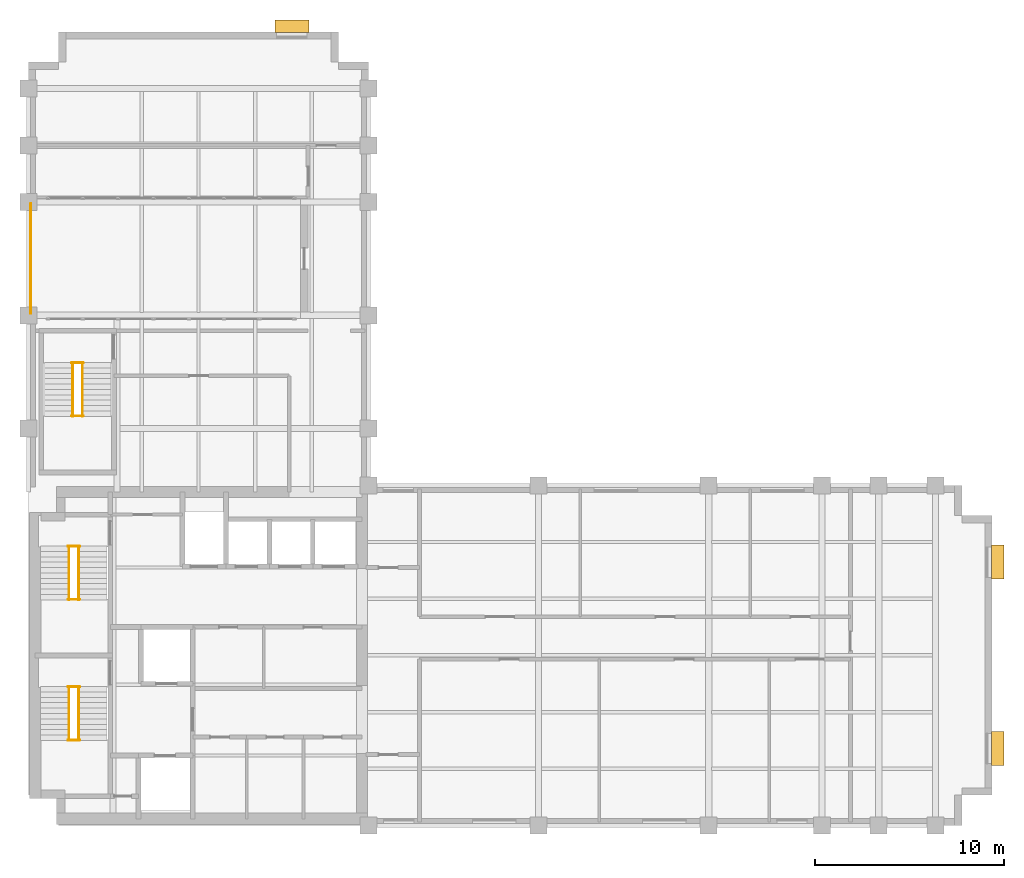
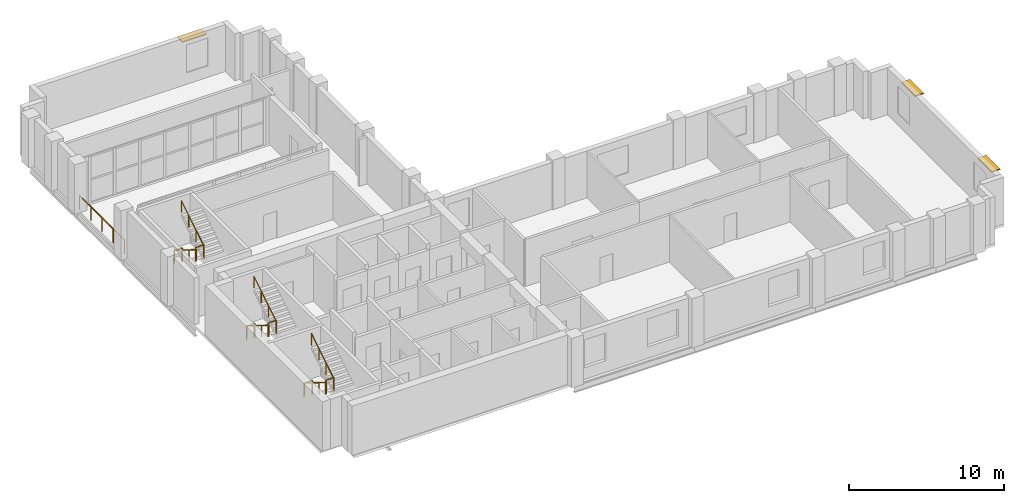
# One storey, part 11 of 11: 13 railings, 3 shading devices.
"""IFC4 building model written with IfcOpenShell, lengths in metres."""

from ifc_helpers import new_model, si_unit, direction, frame, origin, origin_2d, place, context, subcontext, project, spatial, rectangle, circle, extrude, material, layer, layer_set, type_object, element, save


model = new_model("IFC4")

# Units and contexts
model_context = context("Model", 3, precision=1e-05, world=origin(), true_north=direction((0.0, 1.0)))
body_context = subcontext(model_context, "Body", "Model", "MODEL_VIEW")
ifc_project = project(units=[si_unit("LENGTHUNIT", "METRE"), si_unit("AREAUNIT", "SQUARE_METRE"), si_unit("VOLUMEUNIT", "CUBIC_METRE"), si_unit("PLANEANGLEUNIT", "RADIAN"), si_unit("MASSUNIT", "GRAM", prefix="KILO")], contexts=[model_context])

# Site, building, storey
site_placement = place(None, origin())
site = spatial("IfcSite", under=ifc_project, at=site_placement, CompositionType="ELEMENT")
building_placement = place(site_placement, origin())
building = spatial("IfcBuilding", under=site, at=building_placement, Name="Mawjdan Bourse Tower", CompositionType="ELEMENT")
storey_placement = place(building_placement, frame((0.0, 0.0, 191.699951171875)))
storey = spatial("IfcBuildingStorey", under=building, at=storey_placement, Name="L46", CompositionType="ELEMENT", Elevation=191.699951171875)

# Railings
ifc_material_1 = material(Name="Structural Steel S355", Category="steel")
railing_type_1 = type_object("IfcRailingType", Name="RLG-GRD-1100", PredefinedType="GUARDRAIL", material=ifc_material_1)
railing_1_placement = place(storey_placement, frame((6.1201171875, 30.10009765625, 0.0)))
element("IfcRailing", 1, at=railing_1_placement, inside=storey, type_object=railing_type_1, Name="L46 Sky Terrace Perimeter Guardrail", PredefinedType="GUARDRAIL", context=body_context, shape_type="SweptSolid", body=[
    extrude(circle(Radius=0.02490234375, at=origin_2d()), frame((0.0, 0.0, 1.0751953125), z_axis=(0.0, 1.0, 0.0), x_axis=(-1.0, 0.0, 0.0)), (0.0, 0.0, 1.0), 5.7998046875),
    extrude(circle(Radius=0.02197265625, at=origin_2d()), origin(), (0.0, 0.0, 1.0), 1.050048828125),
    extrude(circle(Radius=0.02197265625, at=origin_2d()), frame((0.0, 1.449951171875, 0.0)), (0.0, 0.0, 1.0), 1.050048828125),
    extrude(circle(Radius=0.02197265625, at=origin_2d()), frame((0.0, 2.89990234375, 0.0)), (0.0, 0.0, 1.0), 1.050048828125),
    extrude(circle(Radius=0.02197265625, at=origin_2d()), frame((0.0, 4.349853515625, 0.0)), (0.0, 0.0, 1.0), 1.050048828125),
    extrude(circle(Radius=0.02197265625, at=origin_2d()), frame((0.0, 5.7998046875, 0.0)), (0.0, 0.0, 1.0), 1.050048828125),
])
for number, where, name in (
    (2, (8.090087890625, 7.52001953125, 1.949951171875), "L46 ST1 Landing Guardrail GL-MID"),
    (3, (8.090087890625, 10.330078125, 0.0), "L46 ST1 Landing Guardrail GL-BOT"),
    (4, (8.090087890625, 14.9599609375, 1.949951171875), "L46 ST2 Landing Guardrail GL-MID"),
    (5, (8.090087890625, 17.77001953125, 0.0), "L46 ST2 Landing Guardrail GL-BOT"),
    (6, (8.2900390625, 24.669921875, 1.949951171875), "L46 ST3 Landing Guardrail GL-MID"),
    (7, (8.2900390625, 27.47998046875, 0.0), "L46 ST3 Landing Guardrail GL-BOT"),
):
    element("IfcRailing", number, at=place(storey_placement, frame(where)), inside=storey, type_object=railing_type_1, Name=name, PredefinedType="GUARDRAIL", context=body_context, shape_type="SweptSolid", body=[
        extrude(circle(Radius=0.02490234375, at=origin_2d()), frame((0.0, 0.0, 1.0751953125), z_axis=(1.0, 0.0, 0.0), x_axis=(0.0, 1.0, 0.0)), (0.0, 0.0, 1.0), 0.619873046875),
        extrude(circle(Radius=0.02099609375, at=origin_2d()), origin(), (0.0, 0.0, 1.0), 1.050048828125),
        extrude(circle(Radius=0.02099609375, at=origin_2d()), frame((0.619873046875, 0.0, 0.0)), (0.0, 0.0, 1.0), 1.050048828125),
    ])
ifc_material_2 = material(Name="Brushed Stainless Steel", Category="steel")
railing_type_2 = type_object("IfcRailingType", Name="RLG-HND-920", PredefinedType="HANDRAIL", material=ifc_material_2)
railing_2_placement = place(storey_placement, frame((8.139892578125, 10.35009765625, 0.17724609375)))
element("IfcRailing", 8, at=railing_2_placement, inside=storey, type_object=railing_type_2, Name="L46 ST1 Flight Handrail HR1", PredefinedType="HANDRAIL", context=body_context, shape_type="SweptSolid", body=[
    extrude(circle(Radius=0.0224609375, at=origin_2d()), frame((0.0, 0.0, 0.8974609375), z_axis=(0.0, -0.849148672731, 0.528153890072), x_axis=(1.0, 0.0, 0.0)), (0.0, 0.0, 1.0), 3.3564453125),
    extrude(circle(Radius=0.01904296875, at=origin_2d()), origin(), (0.0, 0.0, 1.0), 0.875),
    extrude(circle(Radius=0.01904296875, at=origin_2d()), frame((0.0, -0.949951171875, 0.5908203125)), (0.0, 0.0, 1.0), 0.875),
    extrude(circle(Radius=0.01904296875, at=origin_2d()), frame((0.0, -1.900146484375, 1.181884765625)), (0.0, 0.0, 1.0), 0.875),
    extrude(circle(Radius=0.01904296875, at=origin_2d()), frame((0.0, -2.85009765625, 1.772705078125)), (0.0, 0.0, 1.0), 0.875),
])
railing_3_placement = place(storey_placement, frame((8.659912109375, 7.5, 2.12744140625)))
element("IfcRailing", 9, at=railing_3_placement, inside=storey, type_object=railing_type_2, Name="L46 ST1 Flight Handrail HR2", PredefinedType="HANDRAIL", context=body_context, shape_type="SweptSolid", body=[
    extrude(circle(Radius=0.0224609375, at=origin_2d()), frame((0.0, 0.0, 0.8974609375), z_axis=(0.0, 0.849148672731, 0.528153890072), x_axis=(-1.0, 0.0, 0.0)), (0.0, 0.0, 1.0), 3.3564453125),
    extrude(circle(Radius=0.01904296875, at=origin_2d()), origin(), (0.0, 0.0, 1.0), 0.875),
    extrude(circle(Radius=0.01904296875, at=origin_2d()), frame((0.0, 0.949951171875, 0.5908203125)), (0.0, 0.0, 1.0), 0.875),
    extrude(circle(Radius=0.01904296875, at=origin_2d()), frame((0.0, 1.900146484375, 1.181884765625)), (0.0, 0.0, 1.0), 0.875),
    extrude(circle(Radius=0.01904296875, at=origin_2d()), frame((0.0, 2.85009765625, 1.772705078125)), (0.0, 0.0, 1.0), 0.875),
])
railing_4_placement = place(storey_placement, frame((8.139892578125, 17.7900390625, 0.17724609375)))
element("IfcRailing", 10, at=railing_4_placement, inside=storey, type_object=railing_type_2, Name="L46 ST2 Flight Handrail HR1", PredefinedType="HANDRAIL", context=body_context, shape_type="SweptSolid", body=[
    extrude(circle(Radius=0.0224609375, at=origin_2d()), frame((0.0, 0.0, 0.8974609375), z_axis=(0.0, -0.849148672731, 0.528153890072), x_axis=(1.0, 0.0, 0.0)), (0.0, 0.0, 1.0), 3.3564453125),
    extrude(circle(Radius=0.01904296875, at=origin_2d()), origin(), (0.0, 0.0, 1.0), 0.875),
    extrude(circle(Radius=0.01904296875, at=origin_2d()), frame((0.0, -0.949951171875, 0.5908203125)), (0.0, 0.0, 1.0), 0.875),
    extrude(circle(Radius=0.01904296875, at=origin_2d()), frame((0.0, -1.900146484375, 1.181884765625)), (0.0, 0.0, 1.0), 0.875),
    extrude(circle(Radius=0.01904296875, at=origin_2d()), frame((0.0, -2.85009765625, 1.772705078125)), (0.0, 0.0, 1.0), 0.875),
])
railing_5_placement = place(storey_placement, frame((8.659912109375, 14.93994140625, 2.12744140625)))
element("IfcRailing", 11, at=railing_5_placement, inside=storey, type_object=railing_type_2, Name="L46 ST2 Flight Handrail HR2", PredefinedType="HANDRAIL", context=body_context, shape_type="SweptSolid", body=[
    extrude(circle(Radius=0.0224609375, at=origin_2d()), frame((0.0, 0.0, 0.8974609375), z_axis=(0.0, 0.849148672731, 0.528153890072), x_axis=(-1.0, 0.0, 0.0)), (0.0, 0.0, 1.0), 3.3564453125),
    extrude(circle(Radius=0.01904296875, at=origin_2d()), origin(), (0.0, 0.0, 1.0), 0.875),
    extrude(circle(Radius=0.01904296875, at=origin_2d()), frame((0.0, 0.949951171875, 0.5908203125)), (0.0, 0.0, 1.0), 0.875),
    extrude(circle(Radius=0.01904296875, at=origin_2d()), frame((0.0, 1.900146484375, 1.181884765625)), (0.0, 0.0, 1.0), 0.875),
    extrude(circle(Radius=0.01904296875, at=origin_2d()), frame((0.0, 2.85009765625, 1.772705078125)), (0.0, 0.0, 1.0), 0.875),
])
railing_6_placement = place(storey_placement, frame((8.340087890625, 27.5, 0.17724609375)))
element("IfcRailing", 12, at=railing_6_placement, inside=storey, type_object=railing_type_2, Name="L46 ST3 Flight Handrail HR1", PredefinedType="HANDRAIL", context=body_context, shape_type="SweptSolid", body=[
    extrude(circle(Radius=0.0224609375, at=origin_2d()), frame((0.0, 0.0, 0.8974609375), z_axis=(0.0, -0.849148672731, 0.528153890072), x_axis=(1.0, 0.0, 0.0)), (0.0, 0.0, 1.0), 3.3564453125),
    extrude(circle(Radius=0.01904296875, at=origin_2d()), origin(), (0.0, 0.0, 1.0), 0.875),
    extrude(circle(Radius=0.01904296875, at=origin_2d()), frame((0.0, -0.949951171875, 0.5908203125)), (0.0, 0.0, 1.0), 0.875),
    extrude(circle(Radius=0.01904296875, at=origin_2d()), frame((0.0, -1.900146484375, 1.181884765625)), (0.0, 0.0, 1.0), 0.875),
    extrude(circle(Radius=0.01904296875, at=origin_2d()), frame((0.0, -2.85009765625, 1.772705078125)), (0.0, 0.0, 1.0), 0.875),
])
railing_7_placement = place(storey_placement, frame((8.860107421875, 24.64990234375, 2.12744140625)))
element("IfcRailing", 13, at=railing_7_placement, inside=storey, type_object=railing_type_2, Name="L46 ST3 Flight Handrail HR2", PredefinedType="HANDRAIL", context=body_context, shape_type="SweptSolid", body=[
    extrude(circle(Radius=0.0224609375, at=origin_2d()), frame((0.0, 0.0, 0.8974609375), z_axis=(0.0, 0.849148672731, 0.528153890072), x_axis=(-1.0, 0.0, 0.0)), (0.0, 0.0, 1.0), 3.3564453125),
    extrude(circle(Radius=0.01904296875, at=origin_2d()), origin(), (0.0, 0.0, 1.0), 0.875),
    extrude(circle(Radius=0.01904296875, at=origin_2d()), frame((0.0, 0.949951171875, 0.5908203125)), (0.0, 0.0, 1.0), 0.875),
    extrude(circle(Radius=0.01904296875, at=origin_2d()), frame((0.0, 1.900146484375, 1.181884765625)), (0.0, 0.0, 1.0), 0.875),
    extrude(circle(Radius=0.01904296875, at=origin_2d()), frame((0.0, 2.85009765625, 1.772705078125)), (0.0, 0.0, 1.0), 0.875),
])

# Shading devices
ifc_material_3 = material(Name="Bronze Anodised Aluminium", Category="aluminium")
ifc_layer = layer(ifc_material_3, 0.074951171875)
ifc_layer_set = layer_set([ifc_layer], Name="Bronze Anodised Aluminium")
shading_device_type = type_object("IfcShadingDeviceType", Name="SHD-SUN-650", PredefinedType="USERDEFINED", material=ifc_layer_set)
for number, where, z_axis, x_axis, name in (
    (14, (57.304931640625, 7.066650390625, 3.10009765625), (0.0, 0.0, 1.0), (0.0, 1.0, 0.0), "L46 Solar Window Hood 03"),
    (15, (57.304931640625, 16.933349609375, 3.10009765625), (0.0, 0.0, 1.0), (0.0, 1.0, 0.0), "L46 Solar Window Hood 04"),
    (16, (19.933349609375, 45.304931640625, 3.10009765625), (0.0, 0.0, 1.0), (-1.0, 0.0, 0.0), "L46 Solar Window Hood 06"),
):
    element("IfcShadingDevice", number, at=place(storey_placement, frame(where, z_axis=z_axis, x_axis=x_axis)), inside=storey, type_object=shading_device_type, Name=name, ObjectType="SUNSHADE", PredefinedType="USERDEFINED", context=body_context, shape_type="SweptSolid", body=[
        extrude(rectangle(XDim=1.800048828125, YDim=0.64990234375, at=origin_2d()), origin(), (0.0, 0.0, 1.0), 0.074951171875),
    ])

save(model, "model.ifc")
